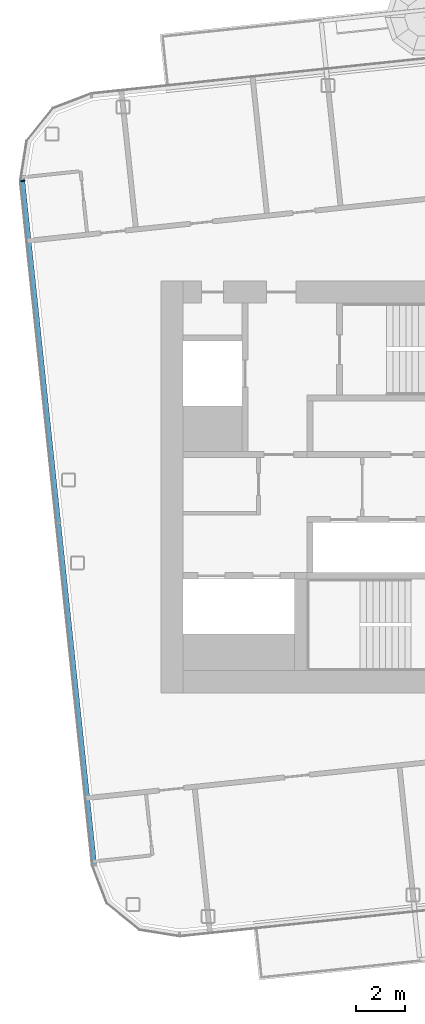
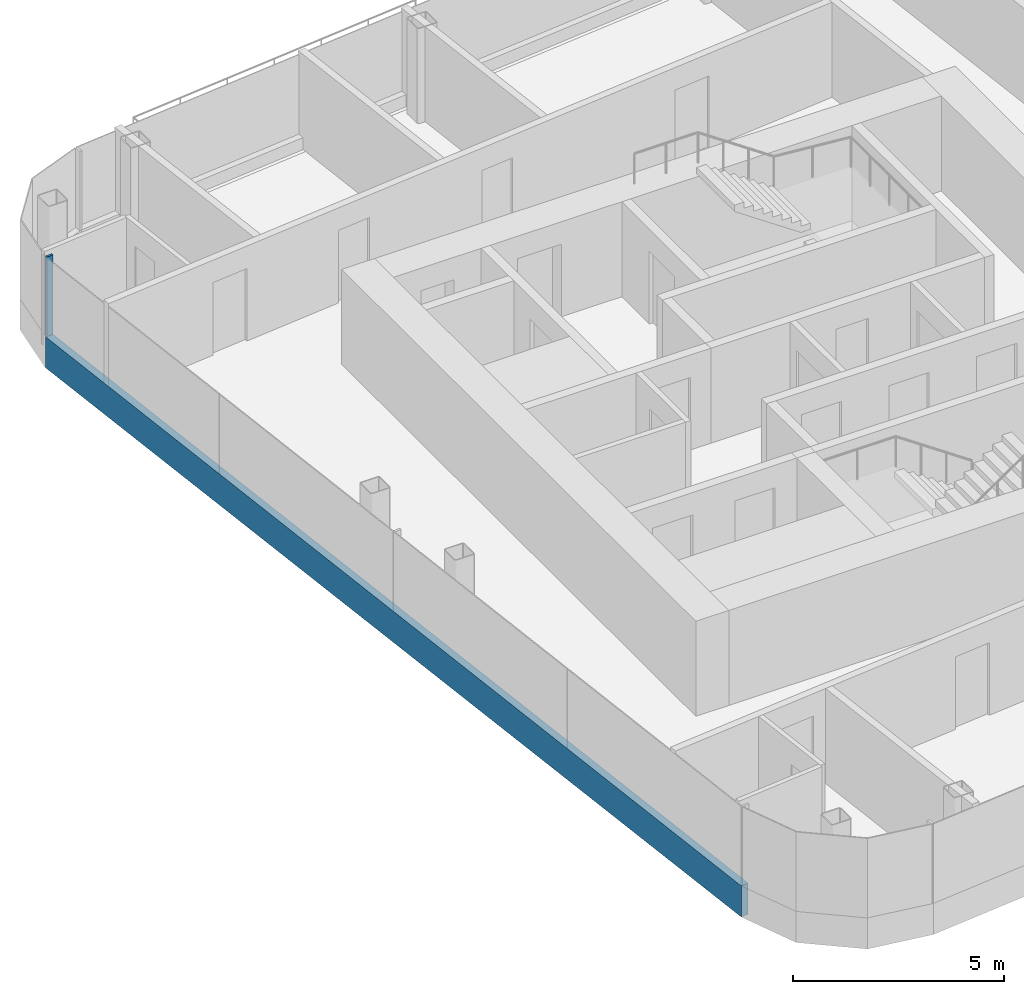
# One storey, part 4 of 29: 2 members, 1 element without a shape of its own.
"""IFC4 building model written with IfcOpenShell, lengths in metres."""

from ifc_helpers import new_model, si_unit, direction, frame, origin, origin_2d, place, context, subcontext, project, spatial, rectangle, extrude, material, layer, layer_set, material_profile, profile_set, type_object, element, aggregate, save


model = new_model("IFC4")

# Units and contexts
model_context = context("Model", 3, precision=1e-05, world=origin(), true_north=direction((0.0, 1.0)))
body_context = subcontext(model_context, "Body", "Model", "MODEL_VIEW")
ifc_project = project(units=[si_unit("LENGTHUNIT", "METRE"), si_unit("AREAUNIT", "SQUARE_METRE"), si_unit("VOLUMEUNIT", "CUBIC_METRE"), si_unit("PLANEANGLEUNIT", "RADIAN"), si_unit("MASSUNIT", "GRAM", prefix="KILO")], contexts=[model_context])

# Site, building, storey
site_placement = place(None, origin())
site = spatial("IfcSite", under=ifc_project, at=site_placement, CompositionType="ELEMENT")
building_placement = place(site_placement, origin())
building = spatial("IfcBuilding", under=site, at=building_placement, Name="Hakoniwa Tower and Hamabe Station Hall", CompositionType="ELEMENT")
storey_placement = place(building_placement, frame((0.0, 0.0, 258.199951171875)))
storey = spatial("IfcBuildingStorey", under=building, at=storey_placement, Name="L73", CompositionType="ELEMENT", Elevation=258.199951171875)

# Curtain wall, members
ifc_material_1 = material(Name="Dark low-e laminated glass", Category="glass")
ifc_layer = layer(ifc_material_1, 0.199951171875)
ifc_layer_set = layer_set([ifc_layer], Name="CW-1 UNITISED GUEST")
curtain_wall_type = type_object("IfcCurtainWallType", Name="CW-1 UNITISED GUEST", PredefinedType="NOTDEFINED", material=ifc_layer_set)
curtain_wall_placement = place(storey_placement, origin())
curtain_wall = element("IfcCurtainWall", 1, at=curtain_wall_placement, inside=storey, type_object=curtain_wall_type, Name="CW-1 curtain wall", PredefinedType="NOTDEFINED")
ifc_material_2 = material(Name="Aluminium 6063-T5 black anodised", Category="aluminium")
ifc_material_profile_1 = material_profile(ifc_material_2, rectangle(XDim=0.199951171875, YDim=0.89990234375, at=origin_2d()), Name="CW SLAB-EDGE BAND 900X200")
ifc_profile_set_1 = profile_set([ifc_material_profile_1], Name="Aluminium 6063-T5 black anodised")
member_type_1 = type_object("IfcMemberType", Name="CW SLAB-EDGE BAND 900X200", PredefinedType="USERDEFINED", material=ifc_profile_set_1)
member_1_placement = place(storey_placement, frame((-39.25927734375, 12.490478515625, -0.099853515625), z_axis=(0.104529086463, -0.994521829868, 0.0), x_axis=(0.994521829868, 0.104529086463, 0.0)))
member_1 = element("IfcMember", 2, at=member_1_placement, type_object=member_type_1, Name="CW-1 transom", ObjectType="TRANSOM", PredefinedType="USERDEFINED", context=body_context, shape_type="SweptSolid", body=[
    extrude(rectangle(XDim=0.199951171875, YDim=0.89990234375, at=origin_2d()), origin(), (0.0, 0.0, 1.0), 28.078857421875),
])
ifc_material_3 = material(Name="Aluminium 6063-T5 black anodised", Category="aluminium")
ifc_material_profile_2 = material_profile(ifc_material_3, rectangle(XDim=0.06005859375, YDim=0.179931640625, at=origin_2d()), Name="CW-1 MULLION 60X180")
ifc_profile_set_2 = profile_set([ifc_material_profile_2], Name="Aluminium 6063-T5 black anodised")
member_type_2 = type_object("IfcMemberType", Name="CW-1 MULLION 60X180", PredefinedType="MULLION", material=ifc_profile_set_2)
member_2_placement = place(storey_placement, frame((-39.241455078125, 12.492431640625, 0.35009765625), z_axis=(0.0, 0.0, 1.0), x_axis=(0.104528468631, -0.994521894805, 0.0)))
member_2 = element("IfcMember", 3, at=member_2_placement, type_object=member_type_2, Name="CW-1 mullion", PredefinedType="MULLION", context=body_context, shape_type="SweptSolid", body=[
    extrude(rectangle(XDim=0.06005859375, YDim=0.179931640625, at=origin_2d()), origin(), (0.0, 0.0, 1.0), 2.300048828125),
])
aggregate(curtain_wall, [member_2, member_1])

save(model, "model.ifc")
